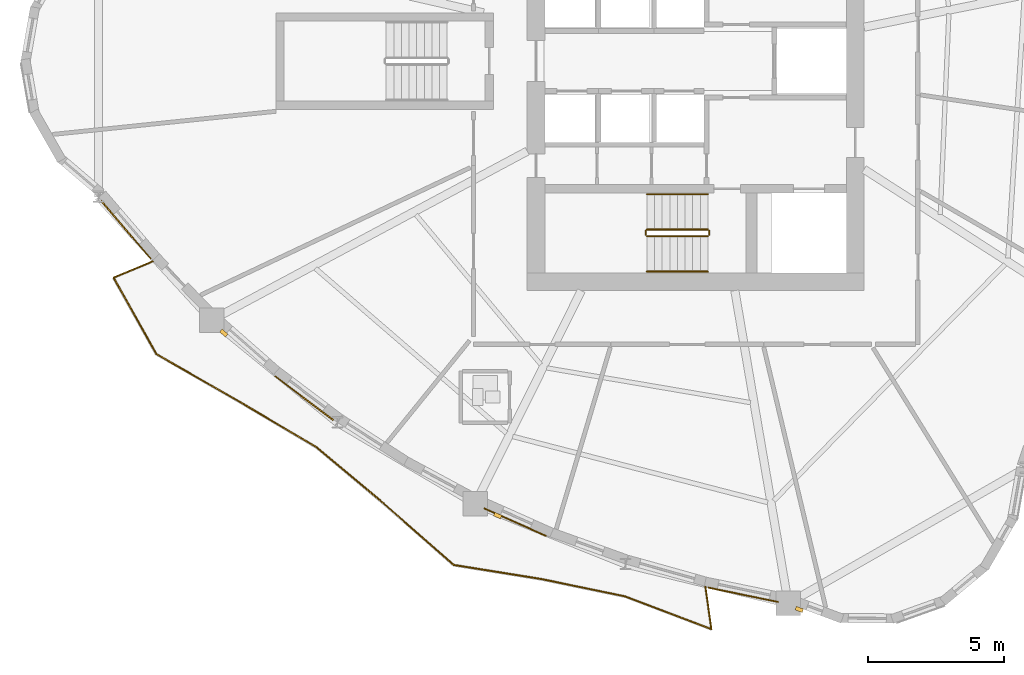
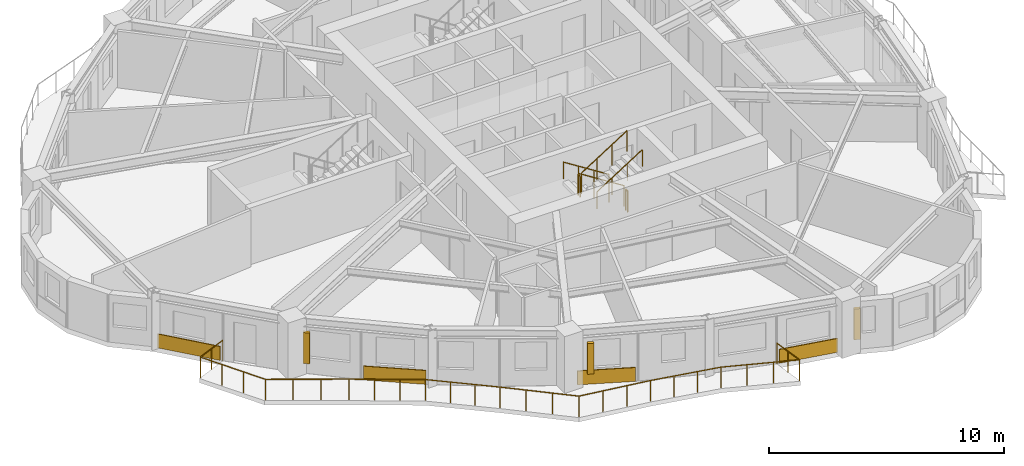
# One storey, part 9 of 12: 7 railings, 4 coverings, 3 shading devices.
"""IFC4 building model written with IfcOpenShell, lengths in metres."""

from ifc_helpers import new_model, si_unit, direction, frame, origin, origin_2d, place, context, subcontext, project, spatial, rectangle, circle, extrude, source, transform, mapped, material, layer, layer_set, type_object, element, save


model = new_model("IFC4")

# Units and contexts
model_context = context("Model", 3, precision=1e-05, world=origin(), true_north=direction((0.0, 1.0)))
body_context = subcontext(model_context, "Body", "Model", "MODEL_VIEW")
ifc_project = project(units=[si_unit("LENGTHUNIT", "METRE"), si_unit("AREAUNIT", "SQUARE_METRE"), si_unit("VOLUMEUNIT", "CUBIC_METRE"), si_unit("PLANEANGLEUNIT", "RADIAN"), si_unit("MASSUNIT", "GRAM", prefix="KILO")], contexts=[model_context])

# Site, building, storey
site_placement = place(None, origin())
site = spatial("IfcSite", under=ifc_project, at=site_placement, CompositionType="ELEMENT")
building_placement = place(site_placement, origin())
building = spatial("IfcBuilding", under=site, at=building_placement, Name="Qafzar Sky-Pleat Residences", CompositionType="ELEMENT")
storey_placement = place(building_placement, frame((0.0, 0.0, 96.0)))
storey = spatial("IfcBuildingStorey", under=building, at=storey_placement, Name="L28", CompositionType="ELEMENT", Elevation=96.0)

# Shading devices
ifc_material_1 = material(Name="Honed Riyadh limestone solar fin", Category="masonry")
ifc_layer_1 = layer(ifc_material_1, 0.139892578125)
ifc_layer_set_1 = layer_set([ifc_layer_1], Name="Honed Riyadh limestone solar fin")
shading_device_type = type_object("IfcShadingDeviceType", Name="SHD-FIN-STONE", PredefinedType="SHUTTER", material=ifc_layer_set_1)
shared_shape_1 = source(origin(), body_context, "Body", "SweptSolid", [
    extrude(rectangle(XDim=0.139892578125, YDim=0.280029296875, at=origin_2d()), origin(), (0.0, 0.0, 1.0), 1.60009765625),
])
for number, where, z_axis, x_axis, name in (
    (1, (12.978759765625, 15.98828125, 0.599853515625), (0.0, 0.0, 1.0), (-0.659725897648, -0.751506313994, 0.0), "L28 Limestone Solar Fin 9"),
    (2, (23.0615234375, 9.26611328125, 0.599853515625), (0.0, 0.0, 1.0), (-0.407013898122, -0.913421965324, 0.0), "L28 Limestone Solar Fin 13"),
    (3, (34.164306640625, 5.81201171875, 0.599853515625), (0.0, 0.0, 1.0), (-0.349823000797, -0.936815813334, 0.0), "L28 Limestone Solar Fin 17"),
):
    element("IfcShadingDevice", number, at=place(storey_placement, frame(where, z_axis=z_axis, x_axis=x_axis)), inside=storey, type_object=shading_device_type, Name=name, PredefinedType="SHUTTER", context=body_context, shape_type="MappedRepresentation", body=[
        mapped(shared_shape_1, transform((0.0, 0.0, 0.0), x_axis=(1.0, 0.0, 0.0), y_axis=(0.0, 1.0, 0.0), z_axis=(0.0, 0.0, 1.0), scale=1.0)),
    ])

# Railing
ifc_material_2 = material(Name="Laminated glass and bronze steel balustrade", Category="steel")
railing_type_1 = type_object("IfcRailingType", Name="RAIL-BAL-1100", PredefinedType="BALUSTRADE", material=ifc_material_2)
shared_shape_2 = source(origin(), body_context, "Body", "SweptSolid", [
    extrude(circle(Radius=0.02392578125, at=origin_2d()), frame((0.0, 0.0, 1.076171875), z_axis=(-0.922613917862, -0.385724718637, 0.0), x_axis=(0.385724718637, -0.922613917862, 0.0)), (0.0, 0.0, 1.0), 1.577880859375),
    extrude(circle(Radius=0.02392578125, at=origin_2d()), frame((-1.455810546875, -0.608642578125, 1.076171875), z_axis=(0.488116684055, -0.872778381233, 0.0), x_axis=(0.872778381233, 0.488116684055, 0.0)), (0.0, 0.0, 1.0), 3.2236328125),
    extrude(circle(Radius=0.02392578125, at=origin_2d()), frame((0.11767578125, -3.422119140625, 1.076171875), z_axis=(0.867778766006, -0.49695071513, 0.0), x_axis=(0.49695071513, 0.867778766006, 0.0)), (0.0, 0.0, 1.0), 3.561767578125),
    extrude(circle(Radius=0.02392578125, at=origin_2d()), frame((3.20849609375, -5.192138671875, 1.076171875), z_axis=(0.860859650558, -0.508842472718, 0.0), x_axis=(0.508842472718, 0.860859650558, 0.0)), (0.0, 0.0, 1.0), 3.270751953125),
    extrude(circle(Radius=0.02392578125, at=origin_2d()), frame((6.024169921875, -6.8564453125, 1.076171875), z_axis=(0.76653872702, -0.642198084689, 0.0), x_axis=(0.642198084689, 0.76653872702, 0.0)), (0.0, 0.0, 1.0), 3.204345703125),
    extrude(circle(Radius=0.02392578125, at=origin_2d()), frame((8.48046875, -8.914306640625, 1.076171875), z_axis=(0.75086023656, -0.66046113069, 0.0), x_axis=(0.66046113069, 0.75086023656, 0.0)), (0.0, 0.0, 1.0), 3.4326171875),
    extrude(circle(Radius=0.02392578125, at=origin_2d()), frame((11.057861328125, -11.181396484375, 1.076171875), z_axis=(0.987281530918, -0.158981692998, 0.0), x_axis=(0.158981692998, 0.987281530918, 0.0)), (0.0, 0.0, 1.0), 3.275634765625),
    extrude(circle(Radius=0.02392578125, at=origin_2d()), frame((14.291748046875, -11.7021484375, 1.076171875), z_axis=(0.97921848132, -0.20280819964, 0.0), x_axis=(0.20280819964, 0.97921848132, 0.0)), (0.0, 0.0, 1.0), 3.14794921875),
    extrude(circle(Radius=0.02392578125, at=origin_2d()), frame((17.374267578125, -12.340576171875, 1.076171875), z_axis=(0.934723383359, -0.355376133978, 0.0), x_axis=(0.355376133978, 0.934723383359, 0.0)), (0.0, 0.0, 1.0), 3.39453125),
    extrude(circle(Radius=0.02392578125, at=origin_2d()), frame((20.547119140625, -13.546875, 1.076171875), z_axis=(-0.138626600479, 0.99034472061, 0.0), x_axis=(-0.99034472061, -0.138626600479, 0.0)), (0.0, 0.0, 1.0), 1.577880859375),
    extrude(circle(Radius=0.02099609375, at=origin_2d()), origin(), (0.0, 0.0, 1.0), 1.052001953125),
    extrude(circle(Radius=0.02099609375, at=origin_2d()), frame((-0.72802734375, -0.30419921875, 0.0)), (0.0, 0.0, 1.0), 1.052001953125),
    extrude(circle(Radius=0.02099609375, at=origin_2d()), frame((-1.455810546875, -0.608642578125, 0.0)), (0.0, 0.0, 1.0), 1.052001953125),
    extrude(circle(Radius=0.02099609375, at=origin_2d()), frame((-0.931396484375, -1.54638671875, 0.0)), (0.0, 0.0, 1.0), 1.052001953125),
    extrude(circle(Radius=0.02099609375, at=origin_2d()), frame((-0.40673828125, -2.484375, 0.0)), (0.0, 0.0, 1.0), 1.052001953125),
    extrude(circle(Radius=0.02099609375, at=origin_2d()), frame((0.11767578125, -3.422119140625, 0.0)), (0.0, 0.0, 1.0), 1.052001953125),
    extrude(circle(Radius=0.02099609375, at=origin_2d()), frame((1.14794921875, -4.01220703125, 0.0)), (0.0, 0.0, 1.0), 1.052001953125),
    extrude(circle(Radius=0.02099609375, at=origin_2d()), frame((2.17822265625, -4.60205078125, 0.0)), (0.0, 0.0, 1.0), 1.052001953125),
    extrude(circle(Radius=0.02099609375, at=origin_2d()), frame((3.20849609375, -5.192138671875, 0.0)), (0.0, 0.0, 1.0), 1.052001953125),
    extrude(circle(Radius=0.02099609375, at=origin_2d()), frame((4.14697265625, -5.746826171875, 0.0)), (0.0, 0.0, 1.0), 1.052001953125),
    extrude(circle(Radius=0.02099609375, at=origin_2d()), frame((5.085693359375, -6.3017578125, 0.0)), (0.0, 0.0, 1.0), 1.052001953125),
    extrude(circle(Radius=0.02099609375, at=origin_2d()), frame((6.024169921875, -6.8564453125, 0.0)), (0.0, 0.0, 1.0), 1.052001953125),
    extrude(circle(Radius=0.02099609375, at=origin_2d()), frame((6.843017578125, -7.54248046875, 0.0)), (0.0, 0.0, 1.0), 1.052001953125),
    extrude(circle(Radius=0.02099609375, at=origin_2d()), frame((7.66162109375, -8.228271484375, 0.0)), (0.0, 0.0, 1.0), 1.052001953125),
    extrude(circle(Radius=0.02099609375, at=origin_2d()), frame((8.48046875, -8.914306640625, 0.0)), (0.0, 0.0, 1.0), 1.052001953125),
    extrude(circle(Radius=0.02099609375, at=origin_2d()), frame((9.339599609375, -9.669921875, 0.0)), (0.0, 0.0, 1.0), 1.052001953125),
    extrude(circle(Radius=0.02099609375, at=origin_2d()), frame((10.19873046875, -10.42578125, 0.0)), (0.0, 0.0, 1.0), 1.052001953125),
    extrude(circle(Radius=0.02099609375, at=origin_2d()), frame((11.057861328125, -11.181396484375, 0.0)), (0.0, 0.0, 1.0), 1.052001953125),
    extrude(circle(Radius=0.02099609375, at=origin_2d()), frame((12.1357421875, -11.35498046875, 0.0)), (0.0, 0.0, 1.0), 1.052001953125),
    extrude(circle(Radius=0.02099609375, at=origin_2d()), frame((13.2138671875, -11.528564453125, 0.0)), (0.0, 0.0, 1.0), 1.052001953125),
    extrude(circle(Radius=0.02099609375, at=origin_2d()), frame((14.291748046875, -11.7021484375, 0.0)), (0.0, 0.0, 1.0), 1.052001953125),
    extrude(circle(Radius=0.02099609375, at=origin_2d()), frame((15.3193359375, -11.9150390625, 0.0)), (0.0, 0.0, 1.0), 1.052001953125),
    extrude(circle(Radius=0.02099609375, at=origin_2d()), frame((16.3466796875, -12.127685546875, 0.0)), (0.0, 0.0, 1.0), 1.052001953125),
    extrude(circle(Radius=0.02099609375, at=origin_2d()), frame((17.374267578125, -12.340576171875, 0.0)), (0.0, 0.0, 1.0), 1.052001953125),
    extrude(circle(Radius=0.02099609375, at=origin_2d()), frame((18.431884765625, -12.74267578125, 0.0)), (0.0, 0.0, 1.0), 1.052001953125),
    extrude(circle(Radius=0.02099609375, at=origin_2d()), frame((19.489501953125, -13.144775390625, 0.0)), (0.0, 0.0, 1.0), 1.052001953125),
    extrude(circle(Radius=0.02099609375, at=origin_2d()), frame((20.547119140625, -13.546875, 0.0)), (0.0, 0.0, 1.0), 1.052001953125),
    extrude(circle(Radius=0.02099609375, at=origin_2d()), frame((20.437744140625, -12.765625, 0.0)), (0.0, 0.0, 1.0), 1.052001953125),
    extrude(circle(Radius=0.02099609375, at=origin_2d()), frame((20.328369140625, -11.984130859375, 0.0)), (0.0, 0.0, 1.0), 1.052001953125),
])
railing_1_placement = place(storey_placement, frame((10.38134765625, 18.63330078125, 0.0)))
element("IfcRailing", 4, at=railing_1_placement, inside=storey, type_object=railing_type_1, Name="L28 Pleated Balcony 3 Balustrade", PredefinedType="BALUSTRADE", context=body_context, shape_type="MappedRepresentation", body=[
    mapped(shared_shape_2, transform((0.0, 0.0, 0.0), x_axis=(1.0, 0.0, 0.0), y_axis=(0.0, 1.0, 0.0), z_axis=(0.0, 0.0, 1.0), scale=1.0)),
])

# Coverings
ifc_material_3 = material(Name="Honed Riyadh Tuwaiq limestone cladding", Category="masonry")
ifc_layer_2 = layer(ifc_material_3, 0.044921875)
ifc_layer_set_2 = layer_set([ifc_layer_2], Name="Honed Riyadh Tuwaiq limestone cladding")
covering_type = type_object("IfcCoveringType", Name="COV-CLAD-STONE", PredefinedType="CLADDING", material=ifc_layer_set_2)
shared_shape_3 = source(origin(), body_context, "Body", "SweptSolid", [
    extrude(rectangle(XDim=2.8203125, YDim=0.044921875, at=origin_2d()), origin(), (0.0, 0.0, 1.0), 0.719970703125),
])
covering_1_placement = place(storey_placement, frame((9.380859375, 19.784423828125, 0.02001953125), z_axis=(0.0, 0.0, 1.0), x_axis=(0.650751949788, -0.759290392306, 0.0)))
element("IfcCovering", 5, at=covering_1_placement, inside=storey, type_object=covering_type, Name="L28 Riyadh Limestone Spandrel Cladding 7", PredefinedType="CLADDING", context=body_context, shape_type="MappedRepresentation", body=[
    mapped(shared_shape_3, transform((0.0, 0.0, 0.0), x_axis=(1.0, 0.0, 0.0), y_axis=(0.0, 1.0, 0.0), z_axis=(0.0, 0.0, 1.0), scale=1.0)),
])
shared_shape_4 = source(origin(), body_context, "Body", "SweptSolid", [
    extrude(rectangle(XDim=2.6865234375, YDim=0.044921875, at=origin_2d()), origin(), (0.0, 0.0, 1.0), 0.719970703125),
])
covering_2_placement = place(storey_placement, frame((15.9365234375, 13.59228515625, 0.02001953125), z_axis=(0.0, 0.0, 1.0), x_axis=(0.798389092488, -0.602141891082, 0.0)))
element("IfcCovering", 6, at=covering_2_placement, inside=storey, type_object=covering_type, Name="L28 Riyadh Limestone Spandrel Cladding 10", PredefinedType="CLADDING", context=body_context, shape_type="MappedRepresentation", body=[
    mapped(shared_shape_4, transform((0.0, 0.0, 0.0), x_axis=(1.0, 0.0, 0.0), y_axis=(0.0, 1.0, 0.0), z_axis=(0.0, 0.0, 1.0), scale=1.0)),
])
shared_shape_5 = source(origin(), body_context, "Body", "SweptSolid", [
    extrude(rectangle(XDim=2.49755859375, YDim=0.044921875, at=origin_2d()), origin(), (0.0, 0.0, 1.0), 0.719970703125),
])
covering_3_placement = place(storey_placement, frame((23.704833984375, 9.026611328125, 0.02001953125), z_axis=(0.0, 0.0, 1.0), x_axis=(0.913414340763, -0.407031008756, 0.0)))
element("IfcCovering", 7, at=covering_3_placement, inside=storey, type_object=covering_type, Name="L28 Riyadh Limestone Spandrel Cladding 13", PredefinedType="CLADDING", context=body_context, shape_type="MappedRepresentation", body=[
    mapped(shared_shape_5, transform((0.0, 0.0, 0.0), x_axis=(1.0, 0.0, 0.0), y_axis=(0.0, 1.0, 0.0), z_axis=(0.0, 0.0, 1.0), scale=1.0)),
])
shared_shape_6 = source(origin(), body_context, "Body", "SweptSolid", [
    extrude(rectangle(XDim=2.631103515625, YDim=0.044921875, at=origin_2d()), origin(), (0.0, 0.0, 1.0), 0.719970703125),
])
covering_4_placement = place(storey_placement, frame((32.097900390625, 6.352294921875, 0.02001953125), z_axis=(0.0, 0.0, 1.0), x_axis=(0.979430208869, -0.201783215244, 0.0)))
element("IfcCovering", 8, at=covering_4_placement, inside=storey, type_object=covering_type, Name="L28 Riyadh Limestone Spandrel Cladding 16", PredefinedType="CLADDING", context=body_context, shape_type="MappedRepresentation", body=[
    mapped(shared_shape_6, transform((0.0, 0.0, 0.0), x_axis=(1.0, 0.0, 0.0), y_axis=(0.0, 1.0, 0.0), z_axis=(0.0, 0.0, 1.0), scale=1.0)),
])

# Railings
ifc_material_4 = material(Name="Painted Steel S355 stair guardrail", Category="steel")
railing_type_2 = type_object("IfcRailingType", Name="RAIL-STAIR-GUARD", PredefinedType="GUARDRAIL", material=ifc_material_4)
shared_shape_7 = source(origin(), body_context, "Body", "SweptSolid", [
    extrude(circle(Radius=0.02392578125, at=origin_2d()), frame((0.0, 0.0, 1.076171875), z_axis=(0.0, -1.0, 0.0), x_axis=(1.0, 0.0, 0.0)), (0.0, 0.0, 1.0), 0.14990234375),
    extrude(circle(Radius=0.02099609375, at=origin_2d()), origin(), (0.0, 0.0, 1.0), 1.052001953125),
    extrude(circle(Radius=0.02099609375, at=origin_2d()), frame((0.0, -0.14990234375, 0.0)), (0.0, 0.0, 1.0), 1.052001953125),
])
for number, where, name in (
    (9, (28.510009765625, 19.75, 1.60009765625), "L28 ST1 stair guard 2"),
    (10, (30.85009765625, 19.75, 0.0), "L28 ST1 stair guard 4"),
):
    element("IfcRailing", number, at=place(storey_placement, frame(where)), inside=storey, type_object=railing_type_2, Name=name, PredefinedType="GUARDRAIL", context=body_context, shape_type="MappedRepresentation", body=[
        mapped(shared_shape_7, transform((0.0, 0.0, 0.0), x_axis=(1.0, 0.0, 0.0), y_axis=(0.0, 1.0, 0.0), z_axis=(0.0, 0.0, 1.0), scale=1.0)),
    ])
shared_shape_8 = source(origin(), body_context, "Body", "SweptSolid", [
    extrude(circle(Radius=0.02392578125, at=origin_2d()), frame((0.0, 0.0, 1.076171875), z_axis=(0.8442293374, 0.0, 0.53598211339), x_axis=(0.0, 1.0, 0.0)), (0.0, 0.0, 1.0), 2.6533203125),
    extrude(circle(Radius=0.02099609375, at=origin_2d()), origin(), (0.0, 0.0, 1.0), 1.052001953125),
    extrude(circle(Radius=0.02099609375, at=origin_2d()), frame((0.74658203125, 0.0, 0.47412109375)), (0.0, 0.0, 1.0), 1.052001953125),
    extrude(circle(Radius=0.02099609375, at=origin_2d()), frame((1.493408203125, 0.0, 0.947998046875)), (0.0, 0.0, 1.0), 1.052001953125),
    extrude(circle(Radius=0.02099609375, at=origin_2d()), frame((2.239990234375, 0.0, 1.422119140625)), (0.0, 0.0, 1.0), 1.052001953125),
])
railing_2_placement = place(storey_placement, frame((28.56005859375, 19.550048828125, 1.77783203125)))
element("IfcRailing", 11, at=railing_2_placement, inside=storey, type_object=railing_type_2, Name="L28 ST1 stair guard 3", PredefinedType="GUARDRAIL", context=body_context, shape_type="MappedRepresentation", body=[
    mapped(shared_shape_8, transform((0.0, 0.0, 0.0), x_axis=(1.0, 0.0, 0.0), y_axis=(0.0, 1.0, 0.0), z_axis=(0.0, 0.0, 1.0), scale=1.0)),
])
ifc_material_5 = material(Name="Brushed stainless steel handrail", Category="steel")
railing_type_3 = type_object("IfcRailingType", Name="RAIL-STAIR-HAND", PredefinedType="HANDRAIL", material=ifc_material_5)
shared_shape_9 = source(origin(), body_context, "Body", "SweptSolid", [
    extrude(circle(Radius=0.02392578125, at=origin_2d()), frame((0.0, 0.0, 0.8759765625), z_axis=(0.8442293374, 0.0, 0.53598211339), x_axis=(0.0, 1.0, 0.0)), (0.0, 0.0, 1.0), 2.6533203125),
    extrude(circle(Radius=0.02099609375, at=origin_2d()), origin(), (0.0, 0.0, 1.0), 0.851806640625),
    extrude(circle(Radius=0.02099609375, at=origin_2d()), frame((0.74658203125, 0.0, 0.47412109375)), (0.0, 0.0, 1.0), 0.851806640625),
    extrude(circle(Radius=0.02099609375, at=origin_2d()), frame((1.493408203125, 0.0, 0.947998046875)), (0.0, 0.0, 1.0), 0.851806640625),
    extrude(circle(Radius=0.02099609375, at=origin_2d()), frame((2.239990234375, 0.0, 1.422119140625)), (0.0, 0.0, 1.0), 0.851806640625),
])
railing_3_placement = place(storey_placement, frame((28.56005859375, 18.25, 1.77783203125)))
element("IfcRailing", 12, at=railing_3_placement, inside=storey, type_object=railing_type_3, Name="L28 ST1 stair handrail 2", PredefinedType="HANDRAIL", context=body_context, shape_type="MappedRepresentation", body=[
    mapped(shared_shape_9, transform((0.0, 0.0, 0.0), x_axis=(1.0, 0.0, 0.0), y_axis=(0.0, 1.0, 0.0), z_axis=(0.0, 0.0, 1.0), scale=1.0)),
])
shared_shape_10 = source(origin(), body_context, "Body", "SweptSolid", [
    extrude(circle(Radius=0.02392578125, at=origin_2d()), frame((0.0, 0.0, 1.076171875), z_axis=(-0.84418770128, 0.0, 0.536047689118), x_axis=(0.0, -1.0, 0.0)), (0.0, 0.0, 1.0), 2.6533203125),
    extrude(circle(Radius=0.02099609375, at=origin_2d()), origin(), (0.0, 0.0, 1.0), 1.052001953125),
    extrude(circle(Radius=0.02099609375, at=origin_2d()), frame((-0.74658203125, 0.0, 0.47412109375)), (0.0, 0.0, 1.0), 1.052001953125),
    extrude(circle(Radius=0.02099609375, at=origin_2d()), frame((-1.493408203125, 0.0, 0.9482421875)), (0.0, 0.0, 1.0), 1.052001953125),
    extrude(circle(Radius=0.02099609375, at=origin_2d()), frame((-2.239990234375, 0.0, 1.42236328125)), (0.0, 0.0, 1.0), 1.052001953125),
])
railing_4_placement = place(storey_placement, frame((30.800048828125, 19.800048828125, 0.177734375)))
element("IfcRailing", 13, at=railing_4_placement, inside=storey, type_object=railing_type_2, Name="L28 ST1 stair guard 1", PredefinedType="GUARDRAIL", context=body_context, shape_type="MappedRepresentation", body=[
    mapped(shared_shape_10, transform((0.0, 0.0, 0.0), x_axis=(1.0, 0.0, 0.0), y_axis=(0.0, 1.0, 0.0), z_axis=(0.0, 0.0, 1.0), scale=1.0)),
])
shared_shape_11 = source(origin(), body_context, "Body", "SweptSolid", [
    extrude(circle(Radius=0.02392578125, at=origin_2d()), frame((0.0, 0.0, 0.8759765625), z_axis=(-0.84418770128, 0.0, 0.536047689118), x_axis=(0.0, -1.0, 0.0)), (0.0, 0.0, 1.0), 2.6533203125),
    extrude(circle(Radius=0.02099609375, at=origin_2d()), origin(), (0.0, 0.0, 1.0), 0.851806640625),
    extrude(circle(Radius=0.02099609375, at=origin_2d()), frame((-0.74658203125, 0.0, 0.47412109375)), (0.0, 0.0, 1.0), 0.851806640625),
    extrude(circle(Radius=0.02099609375, at=origin_2d()), frame((-1.493408203125, 0.0, 0.9482421875)), (0.0, 0.0, 1.0), 0.851806640625),
    extrude(circle(Radius=0.02099609375, at=origin_2d()), frame((-2.239990234375, 0.0, 1.42236328125)), (0.0, 0.0, 1.0), 0.851806640625),
])
railing_5_placement = place(storey_placement, frame((30.800048828125, 21.10009765625, 0.177734375)))
element("IfcRailing", 14, at=railing_5_placement, inside=storey, type_object=railing_type_3, Name="L28 ST1 stair handrail 1", PredefinedType="HANDRAIL", context=body_context, shape_type="MappedRepresentation", body=[
    mapped(shared_shape_11, transform((0.0, 0.0, 0.0), x_axis=(1.0, 0.0, 0.0), y_axis=(0.0, 1.0, 0.0), z_axis=(0.0, 0.0, 1.0), scale=1.0)),
])

save(model, "model.ifc")
